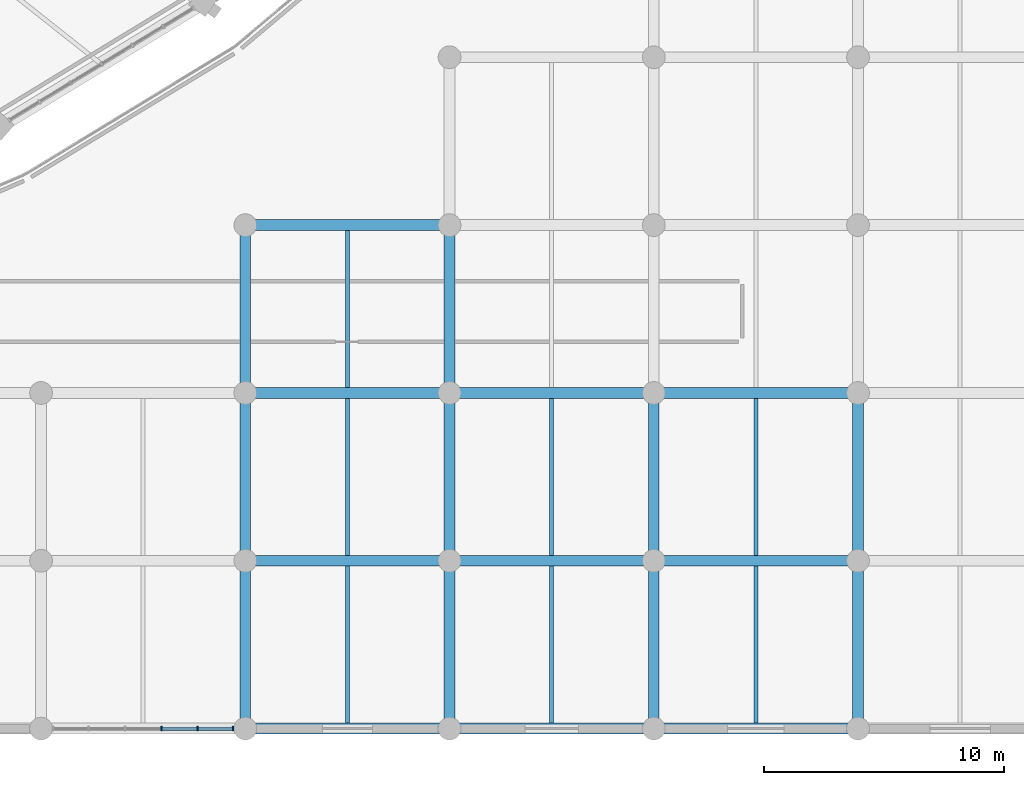
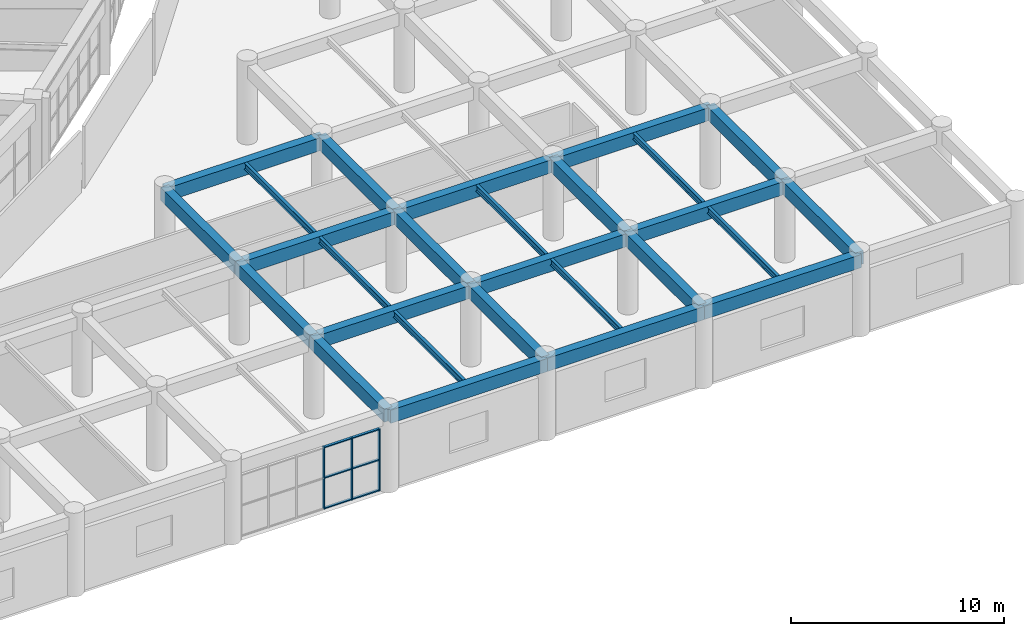
# One storey, part 41 of 152: 27 beams, 9 members, 1 element without a shape of its own.
"""IFC4 building model written with IfcOpenShell, lengths in metres."""

from ifc_helpers import new_model, si_unit, direction, frame, origin, origin_2d, place, context, subcontext, project, spatial, rectangle, i_section, extrude, material, layer, layer_set, material_profile, profile_set, type_object, element, aggregate, save


model = new_model("IFC4")

# Units and contexts
model_context = context("Model", 3, precision=1e-05, world=origin(), true_north=direction((0.0, 1.0)))
body_context = subcontext(model_context, "Body", "Model", "MODEL_VIEW")
ifc_project = project(units=[si_unit("LENGTHUNIT", "METRE"), si_unit("AREAUNIT", "SQUARE_METRE"), si_unit("VOLUMEUNIT", "CUBIC_METRE"), si_unit("PLANEANGLEUNIT", "RADIAN"), si_unit("MASSUNIT", "GRAM", prefix="KILO")], contexts=[model_context])

# Site, building, storey
site_placement = place(None, origin())
site = spatial("IfcSite", under=ifc_project, at=site_placement, CompositionType="ELEMENT")
building_placement = place(site_placement, origin())
building = spatial("IfcBuilding", under=site, at=building_placement, Name="Mphavela Belvedere Stadium", CompositionType="ELEMENT")
storey_placement = place(building_placement, frame((0.0, 0.0, 5.39990234375)))
storey = spatial("IfcBuildingStorey", under=building, at=storey_placement, Name="L01", CompositionType="ELEMENT", Elevation=5.39990234375)

# Beams
ifc_material_1 = material(Name="Steel S355", Category="steel")
ifc_material_profile_1 = material_profile(ifc_material_1, i_section(OverallWidth=0.169921875, OverallDepth=0.360107421875, WebThickness=0.008056640625, FlangeThickness=0.0126953125, at=origin_2d()), Name="IPE 360")
ifc_profile_set_1 = profile_set([ifc_material_profile_1], Name="Steel S355")
beam_type_1 = type_object("IfcBeamType", Name="BM-JOIST-IPE360", PredefinedType="JOIST", material=ifc_profile_set_1)
for number, where, z_axis, x_axis, name in (
    (1, (200.18505859375, 0.22509765625, 4.360107421875), (0.0, 1.0, 0.0), (-1.0, 0.0, 0.0), "South Axial Triumphal Peristyle Portico secondary joist L01 24-1"),
    (2, (200.18505859375, 7.22509765625, 4.360107421875), (0.0, 1.0, 0.0), (-1.0, 0.0, 0.0), "South Axial Triumphal Peristyle Portico secondary joist L01 24-2"),
    (3, (200.18505859375, 14.22509765625, 4.360107421875), (0.0, 1.0, 0.0), (-1.0, 0.0, 0.0), "South Axial Triumphal Peristyle Portico secondary joist L01 24-3"),
    (4, (208.70361328125, 0.22509765625, 4.360107421875), (0.0, 1.0, 0.0), (-1.0, 0.0, 0.0), "South Axial Triumphal Peristyle Portico secondary joist L01 25-1"),
    (5, (208.70361328125, 7.22509765625, 4.360107421875), (0.0, 1.0, 0.0), (-1.0, 0.0, 0.0), "South Axial Triumphal Peristyle Portico secondary joist L01 25-2"),
    (6, (217.221923828125, 0.22509765625, 4.360107421875), (0.0, 1.0, 0.0), (-1.0, 0.0, 0.0), "South Axial Triumphal Peristyle Portico secondary joist L01 26-1"),
    (7, (217.221923828125, 7.22509765625, 4.360107421875), (0.0, 1.0, 0.0), (-1.0, 0.0, 0.0), "South Axial Triumphal Peristyle Portico secondary joist L01 26-2"),
):
    element("IfcBeam", number, at=place(storey_placement, frame(where, z_axis=z_axis, x_axis=x_axis)), inside=storey, type_object=beam_type_1, Name=name, PredefinedType="JOIST", context=body_context, shape_type="SweptSolid", body=[
        extrude(i_section(OverallWidth=0.169921875, OverallDepth=0.360107421875, WebThickness=0.008056640625, FlangeThickness=0.0126953125, at=origin_2d()), origin(), (0.0, 0.0, 1.0), 6.5498046875),
    ])
ifc_material_2 = material(Name="Concrete C40/50", Category="concrete")
ifc_material_profile_2 = material_profile(ifc_material_2, rectangle(XDim=0.449951171875, YDim=0.75, at=origin_2d()), Name="RC 450x750")
ifc_profile_set_2 = profile_set([ifc_material_profile_2], Name="Concrete C40/50")
beam_type_2 = type_object("IfcBeamType", Name="BM-RC450x750", PredefinedType="BEAM", material=ifc_profile_set_2)
beam_1_placement = place(storey_placement, frame((195.926025390625, 0.0, 4.1650390625), z_axis=(1.0, 0.0, 0.0), x_axis=(0.0, 1.0, 0.0)))
element("IfcBeam", 8, at=beam_1_placement, inside=storey, type_object=beam_type_2, Name="South Axial Triumphal Peristyle Portico entablature beam X L01 24-1", PredefinedType="BEAM", context=body_context, shape_type="SweptSolid", body=[
    extrude(rectangle(XDim=0.449951171875, YDim=0.75, at=origin_2d()), origin(), (0.0, 0.0, 1.0), 8.51806640625),
])
beam_2_placement = place(storey_placement, frame((195.926025390625, 0.0, 4.1650390625), z_axis=(0.0, 1.0, 0.0), x_axis=(-1.0, 0.0, 0.0)))
element("IfcBeam", 9, at=beam_2_placement, inside=storey, type_object=beam_type_2, Name="South Axial Triumphal Peristyle Portico entablature beam Y L01 24-1", PredefinedType="BEAM", context=body_context, shape_type="SweptSolid", body=[
    extrude(rectangle(XDim=0.449951171875, YDim=0.75, at=origin_2d()), origin(), (0.0, 0.0, 1.0), 7.0),
])
beam_3_placement = place(storey_placement, frame((195.926025390625, 7.0, 4.1650390625), z_axis=(1.0, 0.0, 0.0), x_axis=(0.0, 1.0, 0.0)))
element("IfcBeam", 10, at=beam_3_placement, inside=storey, type_object=beam_type_2, Name="South Axial Triumphal Peristyle Portico entablature beam X L01 24-2", PredefinedType="BEAM", context=body_context, shape_type="SweptSolid", body=[
    extrude(rectangle(XDim=0.449951171875, YDim=0.75, at=origin_2d()), origin(), (0.0, 0.0, 1.0), 8.51806640625),
])
beam_4_placement = place(storey_placement, frame((195.926025390625, 7.0, 4.1650390625), z_axis=(0.0, 1.0, 0.0), x_axis=(-1.0, 0.0, 0.0)))
element("IfcBeam", 11, at=beam_4_placement, inside=storey, type_object=beam_type_2, Name="South Axial Triumphal Peristyle Portico entablature beam Y L01 24-2", PredefinedType="BEAM", context=body_context, shape_type="SweptSolid", body=[
    extrude(rectangle(XDim=0.449951171875, YDim=0.75, at=origin_2d()), origin(), (0.0, 0.0, 1.0), 7.0),
])
beam_5_placement = place(storey_placement, frame((195.926025390625, 14.0, 4.1650390625), z_axis=(1.0, 0.0, 0.0), x_axis=(0.0, 1.0, 0.0)))
element("IfcBeam", 12, at=beam_5_placement, inside=storey, type_object=beam_type_2, Name="South Axial Triumphal Peristyle Portico entablature beam X L01 24-3", PredefinedType="BEAM", context=body_context, shape_type="SweptSolid", body=[
    extrude(rectangle(XDim=0.449951171875, YDim=0.75, at=origin_2d()), origin(), (0.0, 0.0, 1.0), 8.51806640625),
])
beam_6_placement = place(storey_placement, frame((195.926025390625, 14.0, 4.1650390625), z_axis=(0.0, 1.0, 0.0), x_axis=(-1.0, 0.0, 0.0)))
element("IfcBeam", 13, at=beam_6_placement, inside=storey, type_object=beam_type_2, Name="South Axial Triumphal Peristyle Portico entablature beam Y L01 24-3", PredefinedType="BEAM", context=body_context, shape_type="SweptSolid", body=[
    extrude(rectangle(XDim=0.449951171875, YDim=0.75, at=origin_2d()), origin(), (0.0, 0.0, 1.0), 7.0),
])
beam_7_placement = place(storey_placement, frame((195.926025390625, 21.0, 4.1650390625), z_axis=(1.0, 0.0, 0.0), x_axis=(0.0, 1.0, 0.0)))
element("IfcBeam", 14, at=beam_7_placement, inside=storey, type_object=beam_type_2, Name="South Axial Triumphal Peristyle Portico entablature beam X L01 24-4", PredefinedType="BEAM", context=body_context, shape_type="SweptSolid", body=[
    extrude(rectangle(XDim=0.449951171875, YDim=0.75, at=origin_2d()), origin(), (0.0, 0.0, 1.0), 8.51806640625),
])
beam_8_placement = place(storey_placement, frame((204.444091796875, 0.0, 4.1650390625), z_axis=(1.0, 0.0, 0.0), x_axis=(0.0, 1.0, 0.0)))
element("IfcBeam", 15, at=beam_8_placement, inside=storey, type_object=beam_type_2, Name="South Axial Triumphal Peristyle Portico entablature beam X L01 25-1", PredefinedType="BEAM", context=body_context, shape_type="SweptSolid", body=[
    extrude(rectangle(XDim=0.449951171875, YDim=0.75, at=origin_2d()), origin(), (0.0, 0.0, 1.0), 8.518798828125),
])
beam_9_placement = place(storey_placement, frame((204.444091796875, 0.0, 4.1650390625), z_axis=(0.0, 1.0, 0.0), x_axis=(-1.0, 0.0, 0.0)))
element("IfcBeam", 16, at=beam_9_placement, inside=storey, type_object=beam_type_2, Name="South Axial Triumphal Peristyle Portico entablature beam Y L01 25-1", PredefinedType="BEAM", context=body_context, shape_type="SweptSolid", body=[
    extrude(rectangle(XDim=0.449951171875, YDim=0.75, at=origin_2d()), origin(), (0.0, 0.0, 1.0), 7.0),
])
beam_10_placement = place(storey_placement, frame((204.444091796875, 7.0, 4.1650390625), z_axis=(1.0, 0.0, 0.0), x_axis=(0.0, 1.0, 0.0)))
element("IfcBeam", 17, at=beam_10_placement, inside=storey, type_object=beam_type_2, Name="South Axial Triumphal Peristyle Portico entablature beam X L01 25-2", PredefinedType="BEAM", context=body_context, shape_type="SweptSolid", body=[
    extrude(rectangle(XDim=0.449951171875, YDim=0.75, at=origin_2d()), origin(), (0.0, 0.0, 1.0), 8.518798828125),
])
beam_11_placement = place(storey_placement, frame((204.444091796875, 7.0, 4.1650390625), z_axis=(0.0, 1.0, 0.0), x_axis=(-1.0, 0.0, 0.0)))
element("IfcBeam", 18, at=beam_11_placement, inside=storey, type_object=beam_type_2, Name="South Axial Triumphal Peristyle Portico entablature beam Y L01 25-2", PredefinedType="BEAM", context=body_context, shape_type="SweptSolid", body=[
    extrude(rectangle(XDim=0.449951171875, YDim=0.75, at=origin_2d()), origin(), (0.0, 0.0, 1.0), 7.0),
])
beam_12_placement = place(storey_placement, frame((204.444091796875, 14.0, 4.1650390625), z_axis=(1.0, 0.0, 0.0), x_axis=(0.0, 1.0, 0.0)))
element("IfcBeam", 19, at=beam_12_placement, inside=storey, type_object=beam_type_2, Name="South Axial Triumphal Peristyle Portico entablature beam X L01 25-3", PredefinedType="BEAM", context=body_context, shape_type="SweptSolid", body=[
    extrude(rectangle(XDim=0.449951171875, YDim=0.75, at=origin_2d()), origin(), (0.0, 0.0, 1.0), 8.518798828125),
])
beam_13_placement = place(storey_placement, frame((204.444091796875, 14.0, 4.1650390625), z_axis=(0.0, 1.0, 0.0), x_axis=(-1.0, 0.0, 0.0)))
element("IfcBeam", 20, at=beam_13_placement, inside=storey, type_object=beam_type_2, Name="South Axial Triumphal Peristyle Portico entablature beam Y L01 25-3", PredefinedType="BEAM", context=body_context, shape_type="SweptSolid", body=[
    extrude(rectangle(XDim=0.449951171875, YDim=0.75, at=origin_2d()), origin(), (0.0, 0.0, 1.0), 7.0),
])
beam_14_placement = place(storey_placement, frame((212.962890625, 0.0, 4.1650390625), z_axis=(1.0, 0.0, 0.0), x_axis=(0.0, 1.0, 0.0)))
element("IfcBeam", 21, at=beam_14_placement, inside=storey, type_object=beam_type_2, Name="South Axial Triumphal Peristyle Portico entablature beam X L01 26-1", PredefinedType="BEAM", context=body_context, shape_type="SweptSolid", body=[
    extrude(rectangle(XDim=0.449951171875, YDim=0.75, at=origin_2d()), origin(), (0.0, 0.0, 1.0), 8.51806640625),
])
beam_15_placement = place(storey_placement, frame((212.962890625, 0.0, 4.1650390625), z_axis=(0.0, 1.0, 0.0), x_axis=(-1.0, 0.0, 0.0)))
element("IfcBeam", 22, at=beam_15_placement, inside=storey, type_object=beam_type_2, Name="South Axial Triumphal Peristyle Portico entablature beam Y L01 26-1", PredefinedType="BEAM", context=body_context, shape_type="SweptSolid", body=[
    extrude(rectangle(XDim=0.449951171875, YDim=0.75, at=origin_2d()), origin(), (0.0, 0.0, 1.0), 7.0),
])
beam_16_placement = place(storey_placement, frame((212.962890625, 7.0, 4.1650390625), z_axis=(1.0, 0.0, 0.0), x_axis=(0.0, 1.0, 0.0)))
element("IfcBeam", 23, at=beam_16_placement, inside=storey, type_object=beam_type_2, Name="South Axial Triumphal Peristyle Portico entablature beam X L01 26-2", PredefinedType="BEAM", context=body_context, shape_type="SweptSolid", body=[
    extrude(rectangle(XDim=0.449951171875, YDim=0.75, at=origin_2d()), origin(), (0.0, 0.0, 1.0), 8.51806640625),
])
beam_17_placement = place(storey_placement, frame((212.962890625, 7.0, 4.1650390625), z_axis=(0.0, 1.0, 0.0), x_axis=(-1.0, 0.0, 0.0)))
element("IfcBeam", 24, at=beam_17_placement, inside=storey, type_object=beam_type_2, Name="South Axial Triumphal Peristyle Portico entablature beam Y L01 26-2", PredefinedType="BEAM", context=body_context, shape_type="SweptSolid", body=[
    extrude(rectangle(XDim=0.449951171875, YDim=0.75, at=origin_2d()), origin(), (0.0, 0.0, 1.0), 7.0),
])
beam_18_placement = place(storey_placement, frame((212.962890625, 14.0, 4.1650390625), z_axis=(1.0, 0.0, 0.0), x_axis=(0.0, 1.0, 0.0)))
element("IfcBeam", 25, at=beam_18_placement, inside=storey, type_object=beam_type_2, Name="South Axial Triumphal Peristyle Portico entablature beam X L01 26-3", PredefinedType="BEAM", context=body_context, shape_type="SweptSolid", body=[
    extrude(rectangle(XDim=0.449951171875, YDim=0.75, at=origin_2d()), origin(), (0.0, 0.0, 1.0), 8.51806640625),
])
for number, where, z_axis, x_axis, name in (
    (26, (221.48095703125, 0.0, 4.1650390625), (0.0, 1.0, 0.0), (-1.0, 0.0, 0.0), "South Axial Triumphal Peristyle Portico entablature beam Y L01 27-1"),
    (27, (221.48095703125, 7.0, 4.1650390625), (0.0, 1.0, 0.0), (-1.0, 0.0, 0.0), "South Axial Triumphal Peristyle Portico entablature beam Y L01 27-2"),
):
    element("IfcBeam", number, at=place(storey_placement, frame(where, z_axis=z_axis, x_axis=x_axis)), inside=storey, type_object=beam_type_2, Name=name, PredefinedType="BEAM", context=body_context, shape_type="SweptSolid", body=[
        extrude(rectangle(XDim=0.449951171875, YDim=0.75, at=origin_2d()), origin(), (0.0, 0.0, 1.0), 7.0),
    ])

# Curtain wall, members
ifc_material_3 = material(Name="Anodised bronze unitised curtain wall framing")
ifc_layer = layer(ifc_material_3, 0.205078125)
ifc_layer_set = layer_set([ifc_layer], Name="Anodised bronze unitised curtain wall framing")
curtain_wall_type = type_object("IfcCurtainWallType", Name="CW-UNIT-06", PredefinedType="USERDEFINED", material=ifc_layer_set)
curtain_wall_placement = place(storey_placement, origin())
curtain_wall = element("IfcCurtainWall", 28, at=curtain_wall_placement, inside=storey, type_object=curtain_wall_type, Name="South Axial Triumphal Peristyle Portico gallery curtain wall L01-23", ObjectType="UNITISED CURTAIN WALL", PredefinedType="USERDEFINED")
ifc_material_4 = material(Name="Anodised bronze extruded aluminium", Category="aluminium")
ifc_material_profile_3 = material_profile(ifc_material_4, rectangle(XDim=0.179931640625, YDim=0.06494140625, at=origin_2d()), Name="CW-MUL 180x65")
ifc_profile_set_3 = profile_set([ifc_material_profile_3], Name="Anodised bronze extruded aluminium")
member_type_1 = type_object("IfcMemberType", Name="CWM-180x65", PredefinedType="MULLION", material=ifc_profile_set_3)
member_1_placement = place(storey_placement, frame((195.42041015625, 0.0, 0.0), z_axis=(0.0, 0.0, 1.0), x_axis=(0.0, -1.0, 0.0)))
member_1 = element("IfcMember", 29, at=member_1_placement, type_object=member_type_1, Name="CW-06 mullion 1", PredefinedType="MULLION", context=body_context, shape_type="SweptSolid", body=[
    extrude(rectangle(XDim=0.179931640625, YDim=0.06494140625, at=origin_2d()), origin(), (0.0, 0.0, 1.0), 3.56005859375),
])
member_2_placement = place(storey_placement, frame((193.9384765625, 0.0, 0.0), z_axis=(0.0, 0.0, 1.0), x_axis=(0.0, -1.0, 0.0)))
member_2 = element("IfcMember", 30, at=member_2_placement, type_object=member_type_1, Name="CW-06 mullion 2", PredefinedType="MULLION", context=body_context, shape_type="SweptSolid", body=[
    extrude(rectangle(XDim=0.179931640625, YDim=0.06494140625, at=origin_2d()), origin(), (0.0, 0.0, 1.0), 3.56005859375),
])
member_3_placement = place(storey_placement, frame((192.423828125, 0.0, 0.0), z_axis=(0.0, 0.0, 1.0), x_axis=(0.0, -1.0, 0.0)))
member_3 = element("IfcMember", 31, at=member_3_placement, type_object=member_type_1, Name="CW-06 mullion 3", PredefinedType="MULLION", context=body_context, shape_type="SweptSolid", body=[
    extrude(rectangle(XDim=0.179931640625, YDim=0.06494140625, at=origin_2d()), origin(), (0.0, 0.0, 1.0), 3.56005859375),
])
ifc_material_5 = material(Name="Anodised bronze extruded aluminium", Category="aluminium")
ifc_material_profile_4 = material_profile(ifc_material_5, rectangle(XDim=0.139892578125, YDim=0.06005859375, at=origin_2d()), Name="CW-TRN 140x60")
ifc_profile_set_4 = profile_set([ifc_material_profile_4], Name="Anodised bronze extruded aluminium")
member_type_2 = type_object("IfcMemberType", Name="CWT-140x60", PredefinedType="USERDEFINED", material=ifc_profile_set_4)
member_4_placement = place(storey_placement, frame((195.387939453125, 0.0, 0.030029296875), z_axis=(-1.0, 0.0, 0.0), x_axis=(0.0, -1.0, 0.0)))
member_4 = element("IfcMember", 32, at=member_4_placement, type_object=member_type_2, Name="CW-06 transom 1.1", ObjectType="TRANSOM", PredefinedType="USERDEFINED", context=body_context, shape_type="SweptSolid", body=[
    extrude(rectangle(XDim=0.139892578125, YDim=0.06005859375, at=origin_2d()), origin(), (0.0, 0.0, 1.0), 1.4169921875),
])
member_5_placement = place(storey_placement, frame((195.387939453125, 0.0, 1.780029296875), z_axis=(-1.0, 0.0, 0.0), x_axis=(0.0, -1.0, 0.0)))
member_5 = element("IfcMember", 33, at=member_5_placement, type_object=member_type_2, Name="CW-06 transom 1.2", ObjectType="TRANSOM", PredefinedType="USERDEFINED", context=body_context, shape_type="SweptSolid", body=[
    extrude(rectangle(XDim=0.139892578125, YDim=0.06005859375, at=origin_2d()), origin(), (0.0, 0.0, 1.0), 1.4169921875),
])
member_6_placement = place(storey_placement, frame((195.387939453125, 0.0, 3.530029296875), z_axis=(-1.0, 0.0, 0.0), x_axis=(0.0, -1.0, 0.0)))
member_6 = element("IfcMember", 34, at=member_6_placement, type_object=member_type_2, Name="CW-06 transom 1.3", ObjectType="TRANSOM", PredefinedType="USERDEFINED", context=body_context, shape_type="SweptSolid", body=[
    extrude(rectangle(XDim=0.139892578125, YDim=0.06005859375, at=origin_2d()), origin(), (0.0, 0.0, 1.0), 1.4169921875),
])
member_7_placement = place(storey_placement, frame((193.906005859375, 0.0, 0.030029296875), z_axis=(-1.0, 0.0, 0.0), x_axis=(0.0, -1.0, 0.0)))
member_7 = element("IfcMember", 35, at=member_7_placement, type_object=member_type_2, Name="CW-06 transom 2.1", ObjectType="TRANSOM", PredefinedType="USERDEFINED", context=body_context, shape_type="SweptSolid", body=[
    extrude(rectangle(XDim=0.139892578125, YDim=0.06005859375, at=origin_2d()), origin(), (0.0, 0.0, 1.0), 1.44970703125),
])
member_8_placement = place(storey_placement, frame((193.906005859375, 0.0, 1.780029296875), z_axis=(-1.0, 0.0, 0.0), x_axis=(0.0, -1.0, 0.0)))
member_8 = element("IfcMember", 36, at=member_8_placement, type_object=member_type_2, Name="CW-06 transom 2.2", ObjectType="TRANSOM", PredefinedType="USERDEFINED", context=body_context, shape_type="SweptSolid", body=[
    extrude(rectangle(XDim=0.139892578125, YDim=0.06005859375, at=origin_2d()), origin(), (0.0, 0.0, 1.0), 1.44970703125),
])
member_9_placement = place(storey_placement, frame((193.906005859375, 0.0, 3.530029296875), z_axis=(-1.0, 0.0, 0.0), x_axis=(0.0, -1.0, 0.0)))
member_9 = element("IfcMember", 37, at=member_9_placement, type_object=member_type_2, Name="CW-06 transom 2.3", ObjectType="TRANSOM", PredefinedType="USERDEFINED", context=body_context, shape_type="SweptSolid", body=[
    extrude(rectangle(XDim=0.139892578125, YDim=0.06005859375, at=origin_2d()), origin(), (0.0, 0.0, 1.0), 1.44970703125),
])
aggregate(curtain_wall, [member_1, member_2, member_3, member_4, member_5, member_6, member_7, member_8, member_9])

save(model, "model.ifc")
